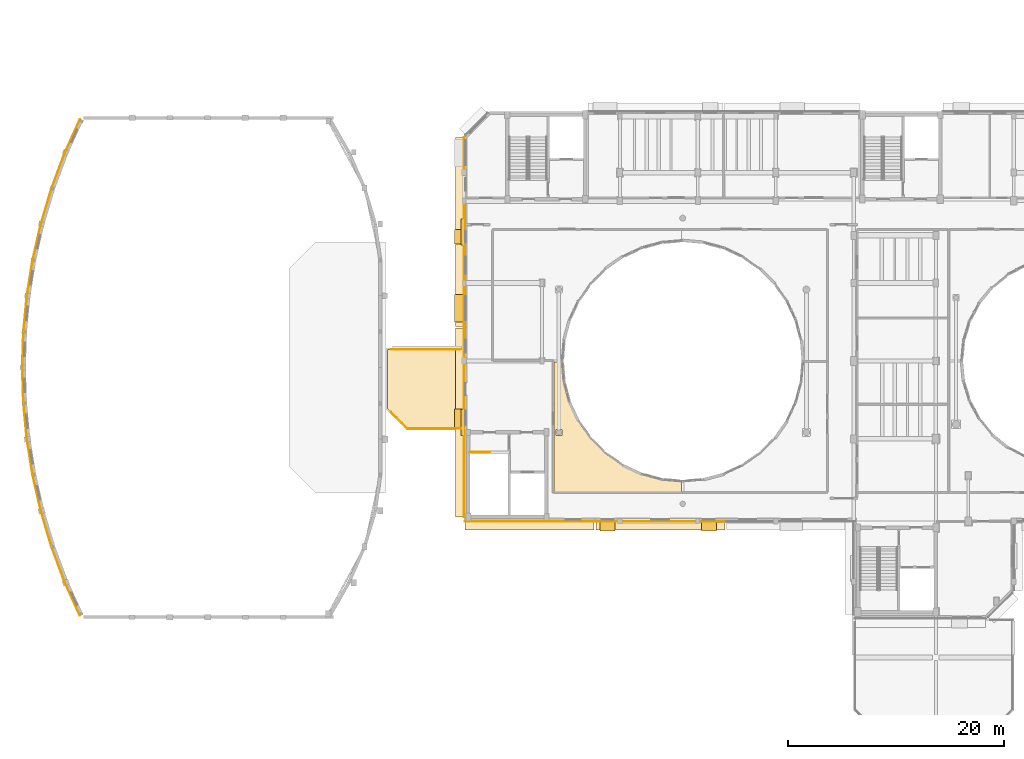
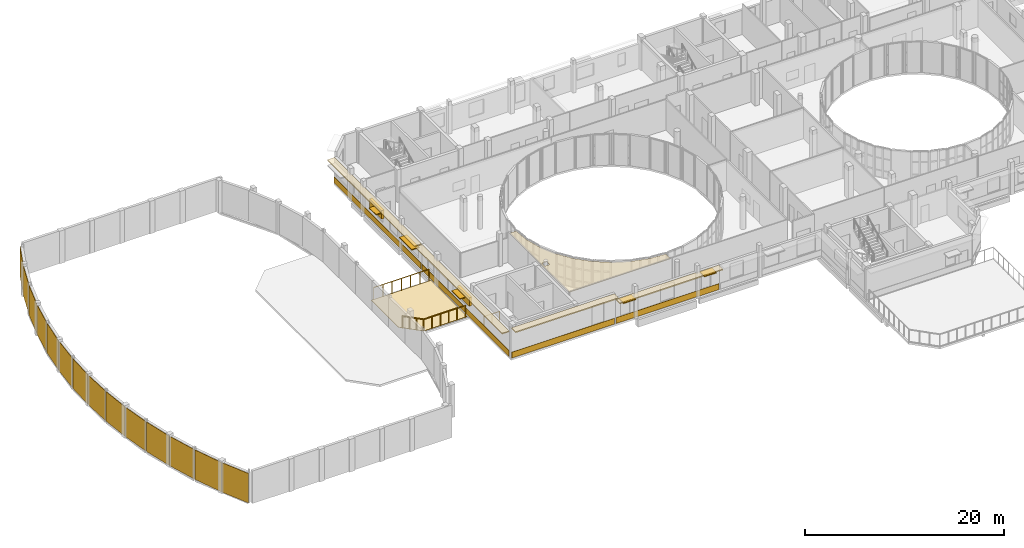
# One storey, part 77 of 89: 24 coverings, 7 shading devices, 3 railings.
"""IFC4 building model written with IfcOpenShell, lengths in metres."""

from ifc_helpers import new_model, si_unit, direction, frame, origin, origin_2d, place, context, subcontext, project, spatial, polyline, rectangle, circle, outline, extrude, material, layer, layer_set, type_object, element, save


model = new_model("IFC4")

# Units and contexts
model_context = context("Model", 3, precision=1e-05, world=origin(), true_north=direction((0.0, 1.0)))
body_context = subcontext(model_context, "Body", "Model", "MODEL_VIEW")
ifc_project = project(units=[si_unit("LENGTHUNIT", "METRE"), si_unit("AREAUNIT", "SQUARE_METRE"), si_unit("VOLUMEUNIT", "CUBIC_METRE"), si_unit("PLANEANGLEUNIT", "RADIAN"), si_unit("MASSUNIT", "GRAM", prefix="KILO")], contexts=[model_context])

# Site, building, storey
site_placement = place(None, origin())
site = spatial("IfcSite", under=ifc_project, at=site_placement, CompositionType="ELEMENT")
building_placement = place(site_placement, origin())
building = spatial("IfcBuilding", under=site, at=building_placement, Name="Kelanivale Promenade Academy", CompositionType="ELEMENT")
storey_placement = place(building_placement, frame((0.0, 0.0, 12.199951171875)))
storey = spatial("IfcBuildingStorey", under=building, at=storey_placement, Name="L03", CompositionType="ELEMENT", Elevation=12.199951171875)

# Coverings
ifc_material_1 = material(Name="Sri Lankan terracotta fluted rainscreen cladding 45 mm", Category="masonry")
ifc_layer_1 = layer(ifc_material_1, 0.044921875)
ifc_layer_set_1 = layer_set([ifc_layer_1], Name="Sri Lankan terracotta fluted rainscreen cladding 45 mm")
covering_type_1 = type_object("IfcCoveringType", Name="COV-CLD1 Sri Lankan terracotta fluted rainscr", PredefinedType="CLADDING", material=ifc_layer_set_1)
covering_1_placement = place(storey_placement, frame((7.031982421875, 34.740966796875, 0.03955078125), z_axis=(0.0, 0.0, 1.0), x_axis=(0.414375580993, -0.910105970685, 0.0)))
element("IfcCovering", 1, at=covering_1_placement, inside=storey, type_object=covering_type_1, Name="Sports Hall Crescent Pavilion fluted terracotta cladding panel", PredefinedType="CLADDING", context=body_context, shape_type="SweptSolid", body=[
    extrude(rectangle(XDim=3.221923828125, YDim=0.044921875, at=origin_2d()), origin(), (0.0, 0.0, 1.0), 3.614990234375),
])
covering_2_placement = place(storey_placement, frame((5.722900390625, 37.912109375, 0.03955078125), z_axis=(0.0, 0.0, 1.0), x_axis=(0.350861216412, -0.936427470132, 0.0)))
element("IfcCovering", 2, at=covering_2_placement, inside=storey, type_object=covering_type_1, Name="Sports Hall Crescent Pavilion fluted terracotta cladding panel", PredefinedType="CLADDING", context=body_context, shape_type="SweptSolid", body=[
    extrude(rectangle(XDim=3.4599609375, YDim=0.044921875, at=origin_2d()), origin(), (0.0, 0.0, 1.0), 3.614990234375),
])
covering_3_placement = place(storey_placement, frame((4.60205078125, 41.237060546875, 0.03955078125), z_axis=(0.0, 0.0, 1.0), x_axis=(0.287026159226, -0.957922744234, 0.0)))
element("IfcCovering", 3, at=covering_3_placement, inside=storey, type_object=covering_type_1, Name="Sports Hall Crescent Pavilion fluted terracotta cladding panel", PredefinedType="CLADDING", context=body_context, shape_type="SweptSolid", body=[
    extrude(rectangle(XDim=3.3798828125, YDim=0.044921875, at=origin_2d()), origin(), (0.0, 0.0, 1.0), 3.614990234375),
])
covering_4_placement = place(storey_placement, frame((3.722900390625, 44.56201171875, 0.03955078125), z_axis=(0.0, 0.0, 1.0), x_axis=(0.223250116011, -0.974761194191, 0.0)))
element("IfcCovering", 4, at=covering_4_placement, inside=storey, type_object=covering_type_1, Name="Sports Hall Crescent Pavilion fluted terracotta cladding panel", PredefinedType="CLADDING", context=body_context, shape_type="SweptSolid", body=[
    extrude(rectangle(XDim=3.320068359375, YDim=0.044921875, at=origin_2d()), origin(), (0.0, 0.0, 1.0), 3.614990234375),
])
covering_5_placement = place(storey_placement, frame((3.073974609375, 47.886962890625, 0.03955078125), z_axis=(0.0, 0.0, 1.0), x_axis=(0.15936430246, -0.987219843349, 0.0)))
element("IfcCovering", 5, at=covering_5_placement, inside=storey, type_object=covering_type_1, Name="Sports Hall Crescent Pavilion fluted terracotta cladding panel", PredefinedType="CLADDING", context=body_context, shape_type="SweptSolid", body=[
    extrude(rectangle(XDim=3.277099609375, YDim=0.044921875, at=origin_2d()), origin(), (0.0, 0.0, 1.0), 3.614990234375),
])
covering_6_placement = place(storey_placement, frame((2.64599609375, 51.2119140625, 0.03955078125), z_axis=(0.0, 0.0, 1.0), x_axis=(0.095498287868, -0.995429594203, 0.0)))
element("IfcCovering", 6, at=covering_6_placement, inside=storey, type_object=covering_type_1, Name="Sports Hall Crescent Pavilion fluted terracotta cladding panel", PredefinedType="CLADDING", context=body_context, shape_type="SweptSolid", body=[
    extrude(rectangle(XDim=3.25, YDim=0.044921875, at=origin_2d()), origin(), (0.0, 0.0, 1.0), 3.614990234375),
])
for number, where, z_axis, x_axis, name in (
    (7, (2.43310546875, 54.5380859375, 0.03955078125), (0.0, 0.0, 1.0), (0.03193409516, -0.999489976721, 0.0), "Sports Hall Crescent Pavilion fluted terracotta cladding panel"),
    (8, (2.43310546875, 57.862060546875, 0.03955078125), (0.0, 0.0, 1.0), (-0.03193409516, -0.999489976721, 0.0), "Sports Hall Crescent Pavilion fluted terracotta cladding panel"),
):
    element("IfcCovering", number, at=place(storey_placement, frame(where, z_axis=z_axis, x_axis=x_axis)), inside=storey, type_object=covering_type_1, Name=name, PredefinedType="CLADDING", context=body_context, shape_type="SweptSolid", body=[
        extrude(rectangle(XDim=3.236083984375, YDim=0.044921875, at=origin_2d()), origin(), (0.0, 0.0, 1.0), 3.614990234375),
    ])
covering_7_placement = place(storey_placement, frame((2.64599609375, 61.18798828125, 0.03955078125), z_axis=(0.0, 0.0, 1.0), x_axis=(-0.095498287868, -0.995429594203, 0.0)))
element("IfcCovering", 9, at=covering_7_placement, inside=storey, type_object=covering_type_1, Name="Sports Hall Crescent Pavilion fluted terracotta cladding panel", PredefinedType="CLADDING", context=body_context, shape_type="SweptSolid", body=[
    extrude(rectangle(XDim=3.25, YDim=0.044921875, at=origin_2d()), origin(), (0.0, 0.0, 1.0), 3.614990234375),
])
covering_8_placement = place(storey_placement, frame((3.073974609375, 64.512939453125, 0.03955078125), z_axis=(0.0, 0.0, 1.0), x_axis=(-0.15936430246, -0.987219843349, 0.0)))
element("IfcCovering", 10, at=covering_8_placement, inside=storey, type_object=covering_type_1, Name="Sports Hall Crescent Pavilion fluted terracotta cladding panel", PredefinedType="CLADDING", context=body_context, shape_type="SweptSolid", body=[
    extrude(rectangle(XDim=3.277099609375, YDim=0.044921875, at=origin_2d()), origin(), (0.0, 0.0, 1.0), 3.614990234375),
])
covering_9_placement = place(storey_placement, frame((3.722900390625, 67.837890625, 0.03955078125), z_axis=(0.0, 0.0, 1.0), x_axis=(-0.223250116011, -0.974761194191, 0.0)))
element("IfcCovering", 11, at=covering_9_placement, inside=storey, type_object=covering_type_1, Name="Sports Hall Crescent Pavilion fluted terracotta cladding panel", PredefinedType="CLADDING", context=body_context, shape_type="SweptSolid", body=[
    extrude(rectangle(XDim=3.320068359375, YDim=0.044921875, at=origin_2d()), origin(), (0.0, 0.0, 1.0), 3.614990234375),
])
covering_10_placement = place(storey_placement, frame((4.60205078125, 71.1630859375, 0.03955078125), z_axis=(0.0, 0.0, 1.0), x_axis=(-0.287026159226, -0.957922744234, 0.0)))
element("IfcCovering", 12, at=covering_10_placement, inside=storey, type_object=covering_type_1, Name="Sports Hall Crescent Pavilion fluted terracotta cladding panel", PredefinedType="CLADDING", context=body_context, shape_type="SweptSolid", body=[
    extrude(rectangle(XDim=3.3798828125, YDim=0.044921875, at=origin_2d()), origin(), (0.0, 0.0, 1.0), 3.614990234375),
])
covering_11_placement = place(storey_placement, frame((5.722900390625, 74.488037109375, 0.03955078125), z_axis=(0.0, 0.0, 1.0), x_axis=(-0.350861216412, -0.936427470132, 0.0)))
element("IfcCovering", 13, at=covering_11_placement, inside=storey, type_object=covering_type_1, Name="Sports Hall Crescent Pavilion fluted terracotta cladding panel", PredefinedType="CLADDING", context=body_context, shape_type="SweptSolid", body=[
    extrude(rectangle(XDim=3.4599609375, YDim=0.044921875, at=origin_2d()), origin(), (0.0, 0.0, 1.0), 3.614990234375),
])
covering_12_placement = place(storey_placement, frame((7.031982421875, 77.658935546875, 0.03955078125), z_axis=(0.0, 0.0, 1.0), x_axis=(-0.414375580993, -0.910105970685, 0.0)))
element("IfcCovering", 14, at=covering_12_placement, inside=storey, type_object=covering_type_1, Name="Sports Hall Crescent Pavilion fluted terracotta cladding panel", PredefinedType="CLADDING", context=body_context, shape_type="SweptSolid", body=[
    extrude(rectangle(XDim=3.221923828125, YDim=0.044921875, at=origin_2d()), origin(), (0.0, 0.0, 1.0), 3.614990234375),
])
ifc_material_2 = material(Name="Warm ivory Art Deco stucco frieze band 40 mm", Category="masonry")
ifc_layer_2 = layer(ifc_material_2, 0.0400390625)
ifc_layer_set_2 = layer_set([ifc_layer_2], Name="Warm ivory Art Deco stucco frieze band 40 mm")
covering_type_2 = type_object("IfcCoveringType", Name="COV-CLD2 Warm ivory Art Deco stucco frieze ba", PredefinedType="CLADDING", material=ifc_layer_set_2)
covering_13_placement = place(storey_placement, frame((42.800048828125, 68.72412109375, 3.044921875), z_axis=(0.0, 0.0, 1.0), x_axis=(0.0, -1.0, 0.0)))
element("IfcCovering", 15, at=covering_13_placement, inside=storey, type_object=covering_type_2, Name="Art Deco projecting 820 mm streamline sunshade eyebrow ledge", PredefinedType="CLADDING", context=body_context, shape_type="SweptSolid", body=[
    extrude(rectangle(XDim=17.468994140625, YDim=0.820068359375, at=origin_2d()), origin(), (0.0, 0.0, 1.0), 0.139892578125),
])
covering_14_placement = place(storey_placement, frame((43.18505859375, 68.72412109375, 0.06005859375), z_axis=(0.0, 0.0, 1.0), x_axis=(0.0, -1.0, 0.0)))
element("IfcCovering", 16, at=covering_14_placement, inside=storey, type_object=covering_type_2, Name="Art Deco ivory stucco sill frieze band", PredefinedType="CLADDING", context=body_context, shape_type="SweptSolid", body=[
    extrude(rectangle(XDim=17.468994140625, YDim=0.0400390625, at=origin_2d()), origin(), (0.0, 0.0, 1.0), 0.719970703125),
])
covering_15_placement = place(storey_placement, frame((42.800048828125, 51.093994140625, 3.044921875), z_axis=(0.0, 0.0, 1.0), x_axis=(0.0, -1.0, 0.0)))
element("IfcCovering", 17, at=covering_15_placement, inside=storey, type_object=covering_type_2, Name="Art Deco projecting 820 mm streamline sunshade eyebrow ledge", PredefinedType="CLADDING", context=body_context, shape_type="SweptSolid", body=[
    extrude(rectangle(XDim=17.468994140625, YDim=0.820068359375, at=origin_2d()), origin(), (0.0, 0.0, 1.0), 0.139892578125),
])
covering_16_placement = place(storey_placement, frame((43.18505859375, 51.093994140625, 0.06005859375), z_axis=(0.0, 0.0, 1.0), x_axis=(0.0, -1.0, 0.0)))
element("IfcCovering", 18, at=covering_16_placement, inside=storey, type_object=covering_type_2, Name="Art Deco ivory stucco sill frieze band", PredefinedType="CLADDING", context=body_context, shape_type="SweptSolid", body=[
    extrude(rectangle(XDim=17.468994140625, YDim=0.0400390625, at=origin_2d()), origin(), (0.0, 0.0, 1.0), 0.719970703125),
])
covering_17_placement = place(storey_placement, frame((49.24609375, 41.60009765625, 3.6201171875), z_axis=(0.0, 0.0, 1.0), x_axis=(1.0, 0.0, 0.0)))
element("IfcCovering", 19, at=covering_17_placement, inside=storey, type_object=covering_type_2, Name="Art Deco projecting 820 mm streamline sunshade eyebrow ledge", PredefinedType="CLADDING", context=body_context, shape_type="SweptSolid", body=[
    extrude(rectangle(XDim=11.93310546875, YDim=0.820068359375, at=origin_2d()), origin(), (0.0, 0.0, 1.0), 0.139892578125),
])
covering_18_placement = place(storey_placement, frame((49.24609375, 41.985107421875, 0.06005859375), z_axis=(0.0, 0.0, 1.0), x_axis=(1.0, 0.0, 0.0)))
element("IfcCovering", 20, at=covering_18_placement, inside=storey, type_object=covering_type_2, Name="Art Deco ivory stucco sill frieze band", PredefinedType="CLADDING", context=body_context, shape_type="SweptSolid", body=[
    extrude(rectangle(XDim=11.93310546875, YDim=0.0400390625, at=origin_2d()), origin(), (0.0, 0.0, 1.0), 0.719970703125),
])
covering_19_placement = place(storey_placement, frame((61.340087890625, 41.60009765625, 2.89990234375), z_axis=(0.0, 0.0, 1.0), x_axis=(1.0, 0.0, 0.0)))
element("IfcCovering", 21, at=covering_19_placement, inside=storey, type_object=covering_type_2, Name="Art Deco projecting 820 mm streamline sunshade eyebrow ledge", PredefinedType="CLADDING", context=body_context, shape_type="SweptSolid", body=[
    extrude(rectangle(XDim=11.93408203125, YDim=0.820068359375, at=origin_2d()), origin(), (0.0, 0.0, 1.0), 0.139892578125),
])
covering_20_placement = place(storey_placement, frame((61.340087890625, 41.985107421875, 0.06005859375), z_axis=(0.0, 0.0, 1.0), x_axis=(1.0, 0.0, 0.0)))
element("IfcCovering", 22, at=covering_20_placement, inside=storey, type_object=covering_type_2, Name="Art Deco ivory stucco sill frieze band", PredefinedType="CLADDING", context=body_context, shape_type="SweptSolid", body=[
    extrude(rectangle(XDim=11.93408203125, YDim=0.0400390625, at=origin_2d()), origin(), (0.0, 0.0, 1.0), 0.719970703125),
])
ifc_material_3 = material(Name="Acoustic mineral-fibre ceiling tile 25 mm", Category="gypsum")
ifc_layer_3 = layer(ifc_material_3, 0.02490234375)
ifc_layer_set_3 = layer_set([ifc_layer_3], Name="Acoustic mineral-fibre ceiling tile 25 mm")
covering_type_3 = type_object("IfcCoveringType", Name="COV-CLG1 Acoustic mineral-fibre ceiling tile ", PredefinedType="CEILING", material=ifc_layer_set_3)
covering_21_placement = place(storey_placement, frame((0.0, 0.0, 3.550048828125)))
element("IfcCovering", 23, at=covering_21_placement, inside=storey, type_object=covering_type_3, Name="Secondary Classroom West A acoustic suspended ceiling", PredefinedType="CEILING", context=body_context, shape_type="SweptSolid", body=[
    extrude(outline(polyline([(52.4169921875, 54.8798828125), (52.4169921875, 54.881103515625), (52.259033203125, 56.68994140625), (51.510009765625, 56.68994140625), (51.510009765625, 44.7099609375), (63.2900390625, 44.7099609375), (63.2900390625, 45.658935546875), (61.48095703125, 45.81689453125), (61.47998046875, 45.81689453125), (61.469970703125, 45.818115234375), (61.4619140625, 45.820068359375), (61.455078125, 45.821044921875), (61.446044921875, 45.823974609375), (59.60302734375, 46.31689453125), (59.60107421875, 46.31689453125), (59.591064453125, 46.320068359375), (59.583984375, 46.322998046875), (59.573974609375, 46.326904296875), (59.570068359375, 46.3291015625), (57.840087890625, 47.136962890625), (57.8349609375, 47.138916015625), (57.825927734375, 47.14404296875), (57.81689453125, 47.14892578125), (57.81005859375, 47.153076171875), (56.24609375, 48.248046875), (56.239013671875, 48.25390625), (56.23095703125, 48.260986328125), (56.222900390625, 48.26806640625), (56.218994140625, 48.27099609375), (54.87109375, 49.618896484375), (54.867919921875, 49.623046875), (54.861083984375, 49.631103515625), (54.85400390625, 49.638916015625), (54.847900390625, 49.64599609375), (53.7529296875, 51.2099609375), (53.7490234375, 51.217041015625), (53.739013671875, 51.235107421875), (53.737060546875, 51.239990234375), (52.928955078125, 52.969970703125), (52.927001953125, 52.97412109375), (52.923095703125, 52.98388671875), (52.919921875, 52.990966796875), (52.9169921875, 53.0009765625), (52.9169921875, 53.0029296875), (52.424072265625, 54.845947265625), (52.4208984375, 54.85498046875), (52.419921875, 54.862060546875), (52.41796875, 54.8701171875), (52.4169921875, 54.8798828125)]), holes=[polyline([(52.2529296875, 49.955078125), (52.2529296875, 49.950927734375), (52.251953125, 49.947021484375), (52.2509765625, 49.943115234375), (52.25, 49.93994140625), (52.248046875, 49.93603515625), (52.24609375, 49.93310546875), (52.243896484375, 49.929931640625), (52.240966796875, 49.927001953125), (52.238037109375, 49.924072265625), (52.235107421875, 49.922119140625), (52.23193359375, 49.919921875), (52.22802734375, 49.91796875), (52.22509765625, 49.9169921875), (52.220947265625, 49.916015625), (52.217041015625, 49.9150390625), (52.212890625, 49.9150390625), (51.722900390625, 49.9150390625), (51.718994140625, 49.9150390625), (51.715087890625, 49.916015625), (51.7109375, 49.9169921875), (51.7080078125, 49.91796875), (51.7041015625, 49.919921875), (51.700927734375, 49.922119140625), (51.697998046875, 49.924072265625), (51.695068359375, 49.927001953125), (51.69189453125, 49.929931640625), (51.68994140625, 49.93310546875), (51.68798828125, 49.93603515625), (51.68603515625, 49.93994140625), (51.68505859375, 49.943115234375), (51.68408203125, 49.947021484375), (51.68310546875, 49.950927734375), (51.68310546875, 49.955078125), (51.68310546875, 50.445068359375), (51.68310546875, 50.448974609375), (51.68408203125, 50.452880859375), (51.68505859375, 50.45703125), (51.68603515625, 50.4599609375), (51.68798828125, 50.464111328125), (51.68994140625, 50.467041015625), (51.69189453125, 50.469970703125), (51.695068359375, 50.472900390625), (51.697998046875, 50.47607421875), (51.700927734375, 50.47802734375), (51.7041015625, 50.47998046875), (51.7080078125, 50.48193359375), (51.7109375, 50.48291015625), (51.715087890625, 50.48388671875), (51.718994140625, 50.485107421875), (51.722900390625, 50.485107421875), (52.212890625, 50.485107421875), (52.217041015625, 50.485107421875), (52.220947265625, 50.48388671875), (52.22509765625, 50.48291015625), (52.22802734375, 50.48193359375), (52.23193359375, 50.47998046875), (52.235107421875, 50.47802734375), (52.238037109375, 50.47607421875), (52.240966796875, 50.472900390625), (52.243896484375, 50.469970703125), (52.24609375, 50.467041015625), (52.248046875, 50.464111328125), (52.25, 50.4599609375), (52.2509765625, 50.45703125), (52.251953125, 50.452880859375), (52.2529296875, 50.448974609375), (52.2529296875, 50.445068359375), (52.2529296875, 49.955078125)])]), origin(), (0.0, 0.0, 1.0), 0.02490234375),
])
ifc_material_4 = material(Name="Impact-absorbing EPDM rooftop Play Deck surfacing 40 mm", Category="masonry")
ifc_layer_4 = layer(ifc_material_4, 0.0400390625)
ifc_layer_set_4 = layer_set([ifc_layer_4], Name="Impact-absorbing EPDM rooftop Play Deck surfacing 40 mm")
covering_type_4 = type_object("IfcCoveringType", Name="COV-FLR3 Impact-absorbing EPDM rooftop Play D", PredefinedType="FLOORING", material=ifc_layer_set_4)
covering_22_placement = place(storey_placement, origin())
element("IfcCovering", 24, at=covering_22_placement, inside=storey, type_object=covering_type_4, Name="Sports Hall Shoulder Observation Deck EPDM safety surfacing", PredefinedType="FLOORING", context=body_context, shape_type="SweptSolid", body=[
    extrude(outline(polyline([(37.987060546875, 50.5400390625), (43.06005859375, 50.5400390625), (43.06005859375, 57.860107421875), (36.139892578125, 57.860107421875), (36.139892578125, 52.386962890625), (37.987060546875, 50.5400390625)])), origin(), (0.0, 0.0, 1.0), 0.0400390625),
])

# Railings
ifc_material_5 = material(Name="Brushed stainless steel grade 316", Category="steel")
railing_type_1 = type_object("IfcRailingType", Name="GR-01 Stair Guard 1100mm", PredefinedType="BALUSTRADE", material=ifc_material_5)
railing_1_placement = place(storey_placement, frame((43.764892578125, 48.39501953125, 0.0)))
element("IfcRailing", 25, at=railing_1_placement, inside=storey, type_object=railing_type_1, Name="L03 ST-06 top well guard 1", PredefinedType="BALUSTRADE", context=body_context, shape_type="SweptSolid", body=[
    extrude(circle(Radius=0.02392578125, at=origin_2d()), frame((0.0, 0.0, 1.09619140625), z_axis=(1.0, 0.0, 0.0), x_axis=(0.0, 1.0, 0.0)), (0.0, 0.0, 1.0), 1.81005859375),
    extrude(circle(Radius=0.02099609375, at=origin_2d()), origin(), (0.0, 0.0, 1.0), 1.072021484375),
    extrude(circle(Radius=0.02099609375, at=origin_2d()), frame((0.905029296875, 0.0, 0.0)), (0.0, 0.0, 1.0), 1.072021484375),
    extrude(circle(Radius=0.02099609375, at=origin_2d()), frame((1.81005859375, 0.0, 0.0)), (0.0, 0.0, 1.0), 1.072021484375),
])
ifc_material_6 = material(Name="Powder-coated galvanized steel and stainless top rail", Category="steel")
railing_type_2 = type_object("IfcRailingType", Name="GR-02 Play Deck Balustrade 1500mm", PredefinedType="BALUSTRADE", material=ifc_material_6)
railing_2_placement = place(storey_placement, frame((36.429931640625, 57.860107421875, 0.0)))
element("IfcRailing", 26, at=railing_2_placement, inside=storey, type_object=railing_type_2, Name="Sports Hall Shoulder Observation Deck 1500 mm safety balustrade", PredefinedType="BALUSTRADE", context=body_context, shape_type="SweptSolid", body=[
    extrude(circle(Radius=0.02392578125, at=origin_2d()), frame((0.0, 0.0, 1.47607421875), z_axis=(1.0, 0.0, 0.0), x_axis=(0.0, 1.0, 0.0)), (0.0, 0.0, 1.0), 6.420166015625),
    extrude(circle(Radius=0.02099609375, at=origin_2d()), origin(), (0.0, 0.0, 1.0), 1.451904296875),
    extrude(circle(Radius=0.02099609375, at=origin_2d()), frame((1.070068359375, 0.0, 0.0)), (0.0, 0.0, 1.0), 1.451904296875),
    extrude(circle(Radius=0.02099609375, at=origin_2d()), frame((2.14013671875, 0.0, 0.0)), (0.0, 0.0, 1.0), 1.451904296875),
    extrude(circle(Radius=0.02099609375, at=origin_2d()), frame((3.2099609375, 0.0, 0.0)), (0.0, 0.0, 1.0), 1.451904296875),
    extrude(circle(Radius=0.02099609375, at=origin_2d()), frame((4.280029296875, 0.0, 0.0)), (0.0, 0.0, 1.0), 1.451904296875),
    extrude(circle(Radius=0.02099609375, at=origin_2d()), frame((5.35009765625, 0.0, 0.0)), (0.0, 0.0, 1.0), 1.451904296875),
    extrude(circle(Radius=0.02099609375, at=origin_2d()), frame((6.420166015625, 0.0, 0.0)), (0.0, 0.0, 1.0), 1.451904296875),
])
railing_3_placement = place(storey_placement, frame((42.85009765625, 50.5400390625, 0.0)))
element("IfcRailing", 27, at=railing_3_placement, inside=storey, type_object=railing_type_2, Name="Sports Hall Shoulder Observation Deck 1500 mm safety balustrade", PredefinedType="BALUSTRADE", context=body_context, shape_type="SweptSolid", body=[
    extrude(circle(Radius=0.02392578125, at=origin_2d()), frame((0.0, 0.0, 1.47607421875), z_axis=(-1.0, 0.0, 0.0), x_axis=(0.0, -1.0, 0.0)), (0.0, 0.0, 1.0), 4.863037109375),
    extrude(circle(Radius=0.02392578125, at=origin_2d()), frame((-4.863037109375, 0.0, 1.47607421875), z_axis=(-0.707162216628, 0.707051341398, 0.0), x_axis=(-0.707051341398, -0.707162216628, 0.0)), (0.0, 0.0, 1.0), 2.201904296875),
    extrude(circle(Radius=0.02099609375, at=origin_2d()), origin(), (0.0, 0.0, 1.0), 1.451904296875),
    extrude(circle(Radius=0.02099609375, at=origin_2d()), frame((-0.97265625, 0.0, 0.0)), (0.0, 0.0, 1.0), 1.451904296875),
    extrude(circle(Radius=0.02099609375, at=origin_2d()), frame((-1.9453125, 0.0, 0.0)), (0.0, 0.0, 1.0), 1.451904296875),
    extrude(circle(Radius=0.02099609375, at=origin_2d()), frame((-2.917724609375, 0.0, 0.0)), (0.0, 0.0, 1.0), 1.451904296875),
    extrude(circle(Radius=0.02099609375, at=origin_2d()), frame((-3.890380859375, 0.0, 0.0)), (0.0, 0.0, 1.0), 1.451904296875),
    extrude(circle(Radius=0.02099609375, at=origin_2d()), frame((-4.863037109375, 0.0, 0.0)), (0.0, 0.0, 1.0), 1.451904296875),
    extrude(circle(Radius=0.02099609375, at=origin_2d()), frame((-5.382080078125, 0.51904296875, 0.0)), (0.0, 0.0, 1.0), 1.451904296875),
    extrude(circle(Radius=0.02099609375, at=origin_2d()), frame((-5.901123046875, 1.037841796875, 0.0)), (0.0, 0.0, 1.0), 1.451904296875),
    extrude(circle(Radius=0.02099609375, at=origin_2d()), frame((-6.420166015625, 1.556884765625, 0.0)), (0.0, 0.0, 1.0), 1.451904296875),
])

# Shading devices
ifc_material_7 = material(Name="Precast concrete C40/50", Category="concrete")
ifc_layer_5 = layer(ifc_material_7, 0.1201171875)
ifc_layer_set_5 = layer_set([ifc_layer_5], Name="Precast concrete C40/50")
shading_device_type_1 = type_object("IfcShadingDeviceType", Name="SHD-01 Art Deco Sunshade Eyebrow 900mm", PredefinedType="USERDEFINED", material=ifc_layer_set_5)
shading_device_1_placement = place(storey_placement, frame((42.760009765625, 68.27392578125, 2.360107421875), z_axis=(0.0, 0.0, 1.0), x_axis=(0.0, -1.0, 0.0)))
element("IfcShadingDevice", 28, at=shading_device_1_placement, inside=storey, type_object=shading_device_type_1, Name="Art Deco 900 mm precast chajja window sunshade", ObjectType="SUNSHADE", PredefinedType="USERDEFINED", context=body_context, shape_type="SweptSolid", body=[
    extrude(rectangle(XDim=1.35009765625, YDim=0.89990234375, at=origin_2d()), origin(), (0.0, 0.0, 1.0), 0.1201171875),
])
shading_device_2_placement = place(storey_placement, frame((42.760009765625, 61.672119140625, 2.409912109375), z_axis=(0.0, 0.0, 1.0), x_axis=(0.0, -1.0, 0.0)))
element("IfcShadingDevice", 29, at=shading_device_2_placement, inside=storey, type_object=shading_device_type_1, Name="Art Deco 900 mm precast chajja window sunshade", ObjectType="SUNSHADE", PredefinedType="USERDEFINED", context=body_context, shape_type="SweptSolid", body=[
    extrude(rectangle(XDim=2.5, YDim=0.89990234375, at=origin_2d()), origin(), (0.0, 0.0, 1.0), 0.1201171875),
])
shading_device_3_placement = place(storey_placement, frame((42.760009765625, 51.544921875, 2.260009765625), z_axis=(0.0, 0.0, 1.0), x_axis=(0.0, -1.0, 0.0)))
element("IfcShadingDevice", 30, at=shading_device_3_placement, inside=storey, type_object=shading_device_type_1, Name="Art Deco 900 mm precast chajja window sunshade", ObjectType="SUNSHADE", PredefinedType="USERDEFINED", context=body_context, shape_type="SweptSolid", body=[
    extrude(rectangle(XDim=1.64990234375, YDim=0.89990234375, at=origin_2d()), origin(), (0.0, 0.0, 1.0), 0.1201171875),
])
for number, where, z_axis, x_axis, name in (
    (31, (56.458984375, 41.56005859375, 2.860107421875), (0.0, 0.0, 1.0), (1.0, 0.0, 0.0), "Art Deco 900 mm precast chajja window sunshade"),
    (32, (65.821044921875, 41.56005859375, 2.860107421875), (0.0, 0.0, 1.0), (1.0, 0.0, 0.0), "Art Deco 900 mm precast chajja window sunshade"),
):
    element("IfcShadingDevice", number, at=place(storey_placement, frame(where, z_axis=z_axis, x_axis=x_axis)), inside=storey, type_object=shading_device_type_1, Name=name, ObjectType="SUNSHADE", PredefinedType="USERDEFINED", context=body_context, shape_type="SweptSolid", body=[
        extrude(rectangle(XDim=1.39990234375, YDim=0.89990234375, at=origin_2d()), origin(), (0.0, 0.0, 1.0), 0.1201171875),
    ])
ifc_material_8 = material(Name="Bronze anodised aluminium EN AW-6063 T6", Category="aluminium")
ifc_layer_6 = layer(ifc_material_8, 0.080078125)
ifc_layer_set_6 = layer_set([ifc_layer_6], Name="Bronze anodised aluminium EN AW-6063 T6")
shading_device_type_2 = type_object("IfcShadingDeviceType", Name="SHD-02 Perforated Brise-Soleil Screen", PredefinedType="JALOUSIE", material=ifc_layer_set_6)
for number, where, z_axis, x_axis, name in (
    (33, (43.06494140625, 68.72412109375, 1.72509765625), (0.0, 0.0, 1.0), (0.0, -1.0, 0.0), "Perforated Art Deco brise-soleil louvre screen"),
    (34, (43.06494140625, 51.093994140625, 1.72509765625), (0.0, 0.0, 1.0), (0.0, -1.0, 0.0), "Perforated Art Deco brise-soleil louvre screen"),
):
    element("IfcShadingDevice", number, at=place(storey_placement, frame(where, z_axis=z_axis, x_axis=x_axis)), inside=storey, type_object=shading_device_type_2, Name=name, PredefinedType="JALOUSIE", context=body_context, shape_type="SweptSolid", body=[
        extrude(rectangle(XDim=2.39990234375, YDim=0.280029296875, at=origin_2d()), origin(), (0.0, 0.0, 1.0), 1.050048828125),
    ])

save(model, "model.ifc")
